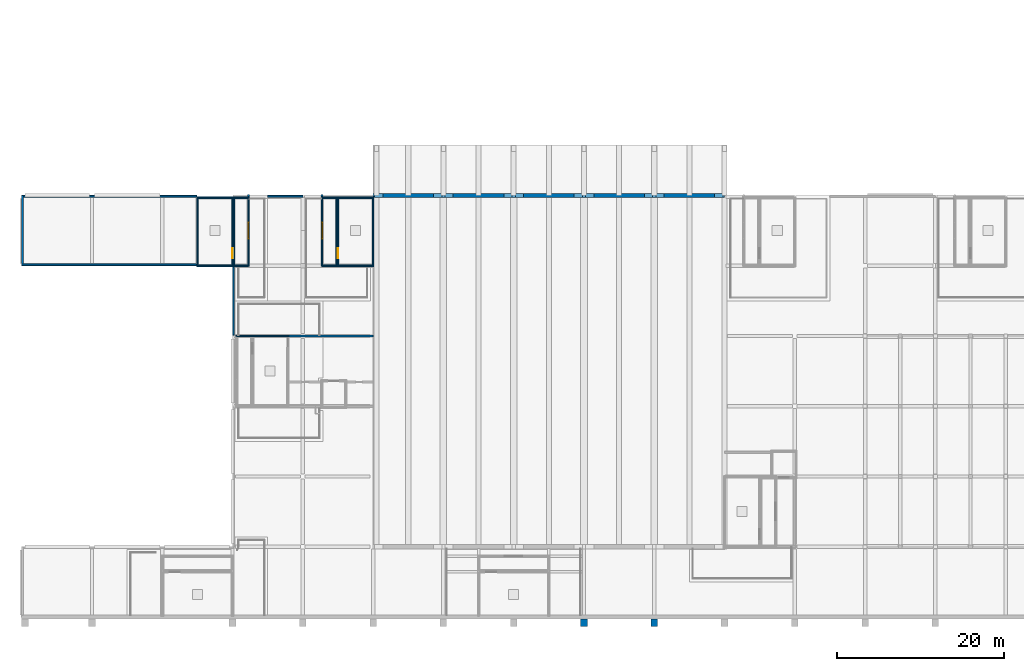
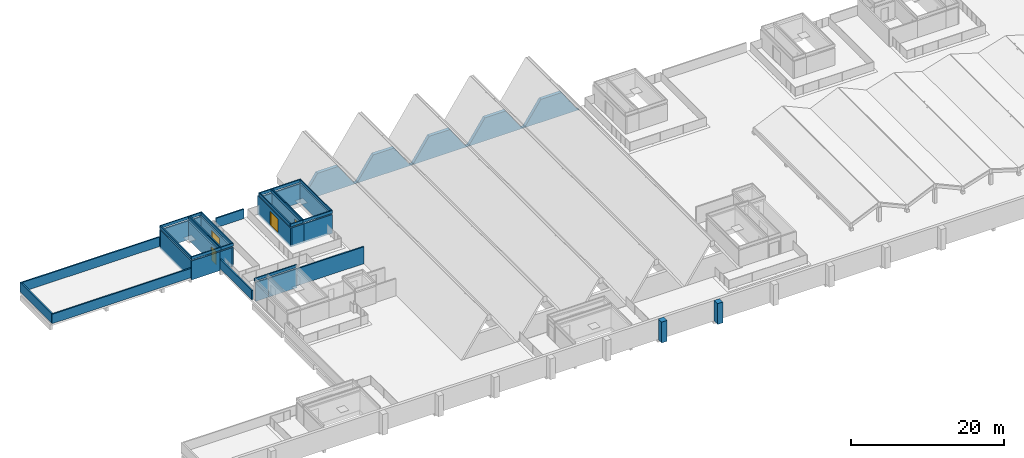
# One storey, part 13 of 24: 43 walls, 4 doors, 4 openings.
"""IFC4 building model written with IfcOpenShell, lengths in metres."""

from ifc_helpers import new_model, si_unit, direction, frame, frame_2d, origin, place, context, subcontext, project, spatial, polyline, rectangle, outline, extrude, material, layer, layer_set, type_object, element, fill, save


model = new_model("IFC4")

# Units and contexts
model_context = context("Model", 3, precision=1e-05, world=origin(), true_north=direction((0.0, 1.0)))
body_context = subcontext(model_context, "Body", "Model", "MODEL_VIEW")
ifc_project = project(units=[si_unit("LENGTHUNIT", "METRE"), si_unit("AREAUNIT", "SQUARE_METRE"), si_unit("VOLUMEUNIT", "CUBIC_METRE"), si_unit("PLANEANGLEUNIT", "RADIAN"), si_unit("MASSUNIT", "GRAM", prefix="KILO")], contexts=[model_context])

# Site, building, storey
site_placement = place(None, origin())
site = spatial("IfcSite", under=ifc_project, at=site_placement, CompositionType="ELEMENT")
building_placement = place(site_placement, origin())
building = spatial("IfcBuilding", under=site, at=building_placement, Name="Rulbaag Community and Learning Centre", CompositionType="ELEMENT")
storey_placement = place(building_placement, frame((0.0, 0.0, 14.39990234375)))
storey = spatial("IfcBuildingStorey", under=building, at=storey_placement, Name="L03", CompositionType="ELEMENT", Elevation=14.39990234375)

# Walls
ifc_material_1 = material(Name="Concrete M40", Category="concrete")
ifc_layer_1 = layer(ifc_material_1, 0.800048828125)
ifc_layer_set_1 = layer_set([ifc_layer_1], Name="EW-BTR")
wall_type_1 = type_object("IfcWallType", Name="EW-BTR", PredefinedType="SOLIDWALL", material=ifc_layer_set_1)
for number, where, z_axis, x_axis, name in (
    (1, (67.199951171875, -0.22509765625, -0.2998046875), (0.0, 0.0, 1.0), (0.0, -1.0, 0.0), "Buttress pier"),
    (2, (75.60009765625, -0.22509765625, -0.2998046875), (0.0, 0.0, 1.0), (0.0, -1.0, 0.0), "Buttress pier"),
):
    element("IfcWall", number, at=place(storey_placement, frame(where, z_axis=z_axis, x_axis=x_axis)), inside=storey, type_object=wall_type_1, Name=name, PredefinedType="SOLIDWALL", context=body_context, shape_type="SweptSolid", body=[
        extrude(rectangle(XDim=0.89990234375, YDim=0.800048828125, at=frame_2d((0.449951171875, 0.0))), origin(), (0.0, 0.0, 1.0), 3.2998046875),
    ])
ifc_layer_2 = layer(ifc_material_1, 0.14990234375)
ifc_layer_set_2 = layer_set([ifc_layer_2], Name="EW-PAR150")
wall_type_2 = type_object("IfcWallType", Name="EW-PAR150", PredefinedType="PARAPET", material=ifc_layer_set_2)
for number, where, z_axis, x_axis, name in (
    (3, (20.89990234375, 41.97509765625, 2.900146484375), (0.0, 0.0, 1.0), (1.0, 0.0, 0.0), "Precast concrete roof upstand with drip nose, head house roofs"),
    (4, (20.89990234375, 50.14990234375, 2.900146484375), (0.0, 0.0, 1.0), (1.0, 0.0, 0.0), "Precast concrete roof upstand with drip nose, head house roofs"),
):
    element("IfcWall", number, at=place(storey_placement, frame(where, z_axis=z_axis, x_axis=x_axis)), inside=storey, type_object=wall_type_2, Name=name, PredefinedType="PARAPET", context=body_context, shape_type="SweptSolid", body=[
        extrude(rectangle(XDim=4.400146484375, YDim=0.14990234375, at=frame_2d((2.2001953125, 0.0))), origin(), (0.0, 0.0, 1.0), 0.449951171875),
    ])
for number, where, z_axis, x_axis, name in (
    (5, (20.97509765625, 42.050048828125, 2.900146484375), (0.0, 0.0, 1.0), (0.0, 1.0, 0.0), "Precast concrete roof upstand with drip nose, head house roofs"),
    (6, (25.22509765625, 42.050048828125, 2.900146484375), (0.0, 0.0, 1.0), (0.0, 1.0, 0.0), "Precast concrete roof upstand with drip nose, head house roofs"),
):
    element("IfcWall", number, at=place(storey_placement, frame(where, z_axis=z_axis, x_axis=x_axis)), inside=storey, type_object=wall_type_2, Name=name, PredefinedType="PARAPET", context=body_context, shape_type="SweptSolid", body=[
        extrude(rectangle(XDim=8.02490234375, YDim=0.14990234375, at=frame_2d((4.012451171875, 0.0))), origin(), (0.0, 0.0, 1.0), 0.449951171875),
    ])
for number, where, z_axis, x_axis, name in (
    (7, (25.300048828125, 41.97509765625, 2.900146484375), (0.0, 0.0, 1.0), (1.0, 0.0, 0.0), "Precast concrete roof upstand with drip nose, head house roofs"),
    (8, (25.300048828125, 50.14990234375, 2.900146484375), (0.0, 0.0, 1.0), (1.0, 0.0, 0.0), "Precast concrete roof upstand with drip nose, head house roofs"),
):
    element("IfcWall", number, at=place(storey_placement, frame(where, z_axis=z_axis, x_axis=x_axis)), inside=storey, type_object=wall_type_2, Name=name, PredefinedType="PARAPET", context=body_context, shape_type="SweptSolid", body=[
        extrude(rectangle(XDim=1.89990234375, YDim=0.14990234375, at=frame_2d((0.949951171875, 0.0))), origin(), (0.0, 0.0, 1.0), 0.449951171875),
    ])
for number, where, z_axis, x_axis, name in (
    (9, (25.375, 42.050048828125, 2.900146484375), (0.0, 0.0, 1.0), (0.0, 1.0, 0.0), "Precast concrete roof upstand with drip nose, head house roofs"),
    (10, (27.125, 42.050048828125, 2.900146484375), (0.0, 0.0, 1.0), (0.0, 1.0, 0.0), "Precast concrete roof upstand with drip nose, head house roofs"),
):
    element("IfcWall", number, at=place(storey_placement, frame(where, z_axis=z_axis, x_axis=x_axis)), inside=storey, type_object=wall_type_2, Name=name, PredefinedType="PARAPET", context=body_context, shape_type="SweptSolid", body=[
        extrude(rectangle(XDim=8.02490234375, YDim=0.14990234375, at=frame_2d((4.012451171875, 0.0))), origin(), (0.0, 0.0, 1.0), 0.449951171875),
    ])
wall_1_placement = place(storey_placement, frame((27.5, 33.625, 2.900146484375), z_axis=(0.0, 0.0, 1.0), x_axis=(1.0, 0.0, 0.0)))
element("IfcWall", 11, at=wall_1_placement, inside=storey, type_object=wall_type_2, Name="Precast concrete roof upstand with drip nose, head house roofs", PredefinedType="PARAPET", context=body_context, shape_type="SweptSolid", body=[
    extrude(rectangle(XDim=4.39990234375, YDim=0.14990234375, at=frame_2d((2.199951171875, 0.0))), origin(), (0.0, 0.0, 1.0), 0.449951171875),
])
wall_2_placement = place(storey_placement, frame((25.60009765625, 33.625, 2.900146484375), z_axis=(0.0, 0.0, 1.0), x_axis=(1.0, 0.0, 0.0)))
element("IfcWall", 12, at=wall_2_placement, inside=storey, type_object=wall_type_2, Name="Precast concrete roof upstand with drip nose, head house roofs", PredefinedType="PARAPET", context=body_context, shape_type="SweptSolid", body=[
    extrude(rectangle(XDim=1.89990234375, YDim=0.14990234375, at=frame_2d((0.949951171875, 0.0))), origin(), (0.0, 0.0, 1.0), 0.449951171875),
])
for number, where, z_axis, x_axis, name in (
    (13, (37.699951171875, 41.97509765625, 2.900146484375), (0.0, 0.0, 1.0), (1.0, 0.0, 0.0), "Precast concrete roof upstand with drip nose, head house roofs"),
    (14, (37.699951171875, 50.14990234375, 2.900146484375), (0.0, 0.0, 1.0), (1.0, 0.0, 0.0), "Precast concrete roof upstand with drip nose, head house roofs"),
):
    element("IfcWall", number, at=place(storey_placement, frame(where, z_axis=z_axis, x_axis=x_axis)), inside=storey, type_object=wall_type_2, Name=name, PredefinedType="PARAPET", context=body_context, shape_type="SweptSolid", body=[
        extrude(rectangle(XDim=4.400146484375, YDim=0.14990234375, at=frame_2d((2.2001953125, 0.0))), origin(), (0.0, 0.0, 1.0), 0.449951171875),
    ])
for number, where, z_axis, x_axis, name in (
    (15, (37.77490234375, 42.050048828125, 2.900146484375), (0.0, 0.0, 1.0), (0.0, 1.0, 0.0), "Precast concrete roof upstand with drip nose, head house roofs"),
    (16, (42.02490234375, 42.050048828125, 2.900146484375), (0.0, 0.0, 1.0), (0.0, 1.0, 0.0), "Precast concrete roof upstand with drip nose, head house roofs"),
):
    element("IfcWall", number, at=place(storey_placement, frame(where, z_axis=z_axis, x_axis=x_axis)), inside=storey, type_object=wall_type_2, Name=name, PredefinedType="PARAPET", context=body_context, shape_type="SweptSolid", body=[
        extrude(rectangle(XDim=8.02490234375, YDim=0.14990234375, at=frame_2d((4.012451171875, 0.0))), origin(), (0.0, 0.0, 1.0), 0.449951171875),
    ])
for number, where, z_axis, x_axis, name in (
    (17, (35.800048828125, 41.97509765625, 2.900146484375), (0.0, 0.0, 1.0), (1.0, 0.0, 0.0), "Precast concrete roof upstand with drip nose, head house roofs"),
    (18, (35.800048828125, 50.14990234375, 2.900146484375), (0.0, 0.0, 1.0), (1.0, 0.0, 0.0), "Precast concrete roof upstand with drip nose, head house roofs"),
):
    element("IfcWall", number, at=place(storey_placement, frame(where, z_axis=z_axis, x_axis=x_axis)), inside=storey, type_object=wall_type_2, Name=name, PredefinedType="PARAPET", context=body_context, shape_type="SweptSolid", body=[
        extrude(rectangle(XDim=1.89990234375, YDim=0.14990234375, at=frame_2d((0.949951171875, 0.0))), origin(), (0.0, 0.0, 1.0), 0.449951171875),
    ])
for number, where, z_axis, x_axis, name in (
    (19, (35.875, 42.050048828125, 2.900146484375), (0.0, 0.0, 1.0), (0.0, 1.0, 0.0), "Precast concrete roof upstand with drip nose, head house roofs"),
    (20, (37.625, 42.050048828125, 2.900146484375), (0.0, 0.0, 1.0), (0.0, 1.0, 0.0), "Precast concrete roof upstand with drip nose, head house roofs"),
):
    element("IfcWall", number, at=place(storey_placement, frame(where, z_axis=z_axis, x_axis=x_axis)), inside=storey, type_object=wall_type_2, Name=name, PredefinedType="PARAPET", context=body_context, shape_type="SweptSolid", body=[
        extrude(rectangle(XDim=8.02490234375, YDim=0.14990234375, at=frame_2d((4.012451171875, 0.0))), origin(), (0.0, 0.0, 1.0), 0.449951171875),
    ])
ifc_layer_3 = layer(ifc_material_1, 0.199951171875)
ifc_layer_set_3 = layer_set([ifc_layer_3], Name="EW-PAR200")
wall_type_3 = type_object("IfcWallType", Name="EW-PAR200", PredefinedType="PARAPET", material=ifc_layer_set_3)
wall_3_placement = place(storey_placement, frame((20.89990234375, 42.10009765625, 0.0), z_axis=(0.0, 0.0, 1.0), x_axis=(-1.0, 0.0, 0.0)))
element("IfcWall", 21, at=wall_3_placement, inside=storey, type_object=wall_type_3, Name="Roof parapet", PredefinedType="PARAPET", context=body_context, shape_type="SweptSolid", body=[
    extrude(rectangle(XDim=20.89990234375, YDim=0.199951171875, at=frame_2d((10.449951171875, 0.0))), origin(), (0.0, 0.0, 1.0), 1.5),
])
wall_4_placement = place(storey_placement, frame((0.10009765625, 42.199951171875, 0.0), z_axis=(0.0, 0.0, 1.0), x_axis=(0.0, 1.0, 0.0)))
element("IfcWall", 22, at=wall_4_placement, inside=storey, type_object=wall_type_3, Name="Roof parapet", PredefinedType="PARAPET", context=body_context, shape_type="SweptSolid", body=[
    extrude(rectangle(XDim=8.199951171875, YDim=0.199951171875, at=frame_2d((4.10009765625, 0.0))), origin(), (0.0, 0.0, 1.0), 1.5),
])
wall_5_placement = place(storey_placement, frame((0.199951171875, 50.300048828125, 0.0), z_axis=(0.0, 0.0, 1.0), x_axis=(1.0, 0.0, 0.0)))
element("IfcWall", 23, at=wall_5_placement, inside=storey, type_object=wall_type_3, Name="Roof parapet", PredefinedType="PARAPET", context=body_context, shape_type="SweptSolid", body=[
    extrude(rectangle(XDim=20.699951171875, YDim=0.199951171875, at=frame_2d((10.35009765625, 0.0))), origin(), (0.0, 0.0, 1.0), 1.5),
])
wall_6_placement = place(storey_placement, frame((25.300048828125, 33.699951171875, 0.0), z_axis=(0.0, 0.0, 1.0), x_axis=(0.0, 1.0, 0.0)))
element("IfcWall", 24, at=wall_6_placement, inside=storey, type_object=wall_type_3, Name="Roof parapet", PredefinedType="PARAPET", context=body_context, shape_type="SweptSolid", body=[
    extrude(rectangle(XDim=8.199951171875, YDim=0.199951171875, at=frame_2d((4.10009765625, 0.0))), origin(), (0.0, 0.0, 1.0), 1.5),
])
wall_7_placement = place(storey_placement, frame((29.39990234375, 50.300048828125, 0.0), z_axis=(0.0, 0.0, 1.0), x_axis=(1.0, 0.0, 0.0)))
element("IfcWall", 25, at=wall_7_placement, inside=storey, type_object=wall_type_3, Name="Roof parapet", PredefinedType="PARAPET", context=body_context, shape_type="SweptSolid", body=[
    extrude(rectangle(XDim=4.2001953125, YDim=0.199951171875, at=frame_2d((2.10009765625, 0.0))), origin(), (0.0, 0.0, 1.0), 1.5),
])
ifc_material_2 = material(Name="Concrete blockwork", Category="masonry")
ifc_layer_4 = layer(ifc_material_2, 0.199951171875)
ifc_layer_set_4 = layer_set([ifc_layer_4], Name="FW-200 FIRE WALL 200")
wall_type_4 = type_object("IfcWallType", Name="FW-200 FIRE WALL 200", PredefinedType="SOLIDWALL", material=ifc_layer_set_4)
wall_8_placement = place(storey_placement, frame((31.89990234375, 33.60009765625, 0.0), z_axis=(0.0, 0.0, 1.0), x_axis=(1.0, 0.0, 0.0)))
element("IfcWall", 26, at=wall_8_placement, inside=storey, type_object=wall_type_4, Name="Fire wall L03 7", PredefinedType="SOLIDWALL", context=body_context, shape_type="SweptSolid", body=[
    extrude(rectangle(XDim=10.10009765625, YDim=0.199951171875, at=frame_2d((5.050048828125, 0.0))), origin(), (0.0, 0.0, 1.0), 2.7001953125),
])
ifc_layer_5 = layer(ifc_material_1, 0.5)
ifc_layer_set_5 = layer_set([ifc_layer_5], Name="W13 Shear wall 500 Concrete M40")
wall_type_5 = type_object("IfcWallType", Name="W13 Shear wall 500 Concrete M40", PredefinedType="SHEAR", material=ifc_layer_set_5)
wall_9_placement = place(storey_placement, frame((42.0, 50.39990234375, -0.2998046875), z_axis=(0.0, 0.0, 1.0), x_axis=(1.0, 0.0, 0.0)))
element("IfcWall", 27, at=wall_9_placement, inside=storey, type_object=wall_type_5, Name="WL-XMN-L03", PredefinedType="SHEAR", context=body_context, shape_type="SweptSolid", body=[
    extrude(outline(polyline([(0.0, 0.0), (42.0, 0.0), (42.0, 0.0498046875), (41.806884765625, 0.0498046875), (39.368408203125, 3.64990234375), (36.231689453125, 3.64990234375), (33.79296875, 0.0498046875), (33.60009765625, 0.0498046875), (33.406982421875, 0.0498046875), (30.96826171875, 3.64990234375), (27.831787109375, 3.64990234375), (25.39306640625, 0.0498046875), (25.199951171875, 0.0498046875), (25.007080078125, 0.0498046875), (22.568359375, 3.64990234375), (19.431640625, 3.64990234375), (16.992919921875, 0.0498046875), (16.800048828125, 0.0498046875), (16.60693359375, 0.0498046875), (14.168212890625, 3.64990234375), (11.03173828125, 3.64990234375), (8.593017578125, 0.0498046875), (8.39990234375, 0.0498046875), (8.20703125, 0.0498046875), (5.768310546875, 3.64990234375), (2.631591796875, 3.64990234375), (0.193115234375, 0.0498046875), (0.0, 0.0498046875), (0.0, 0.0)])), frame((0.0, 0.25, 0.0), z_axis=(0.0, -1.0, 0.0), x_axis=(1.0, 0.0, 0.0)), (0.0, 0.0, 1.0), 0.5),
])
ifc_layer_6 = layer(ifc_material_1, 0.199951171875)
ifc_layer_set_6 = layer_set([ifc_layer_6], Name="W14 Stair head wall 200 Concrete M40")
wall_type_6 = type_object("IfcWallType", Name="W14 Stair head wall 200 Concrete M40", PredefinedType="SHEAR", material=ifc_layer_set_6)
for number, where, z_axis, x_axis, name in (
    (28, (20.89990234375, 42.0, -0.2998046875), (0.0, 0.0, 1.0), (1.0, 0.0, 0.0), "WL-HEAD-SH0-S"),
    (29, (20.89990234375, 50.125, -0.2998046875), (0.0, 0.0, 1.0), (1.0, 0.0, 0.0), "WL-HEAD-SH0-N"),
):
    element("IfcWall", number, at=place(storey_placement, frame(where, z_axis=z_axis, x_axis=x_axis)), inside=storey, type_object=wall_type_6, Name=name, PredefinedType="SHEAR", context=body_context, shape_type="SweptSolid", body=[
        extrude(rectangle(XDim=4.400146484375, YDim=0.199951171875, at=frame_2d((2.2001953125, 0.0))), origin(), (0.0, 0.0, 1.0), 3.0),
    ])
wall_10_placement = place(storey_placement, frame((21.0, 42.10009765625, -0.2998046875), z_axis=(0.0, 0.0, 1.0), x_axis=(0.0, 1.0, 0.0)))
element("IfcWall", 30, at=wall_10_placement, inside=storey, type_object=wall_type_6, Name="WL-HEAD-SH0-W", PredefinedType="SHEAR", context=body_context, shape_type="SweptSolid", body=[
    extrude(rectangle(XDim=7.9248046875, YDim=0.199951171875, at=frame_2d((3.96240234375, 0.0))), origin(), (0.0, 0.0, 1.0), 3.0),
])

# Wall, opening, door
wall_11_placement = place(storey_placement, frame((25.199951171875, 42.10009765625, -0.2998046875), z_axis=(0.0, 0.0, 1.0), x_axis=(0.0, 1.0, 0.0)))
wall_11 = element("IfcWall", 31, at=wall_11_placement, inside=storey, type_object=wall_type_6, Name="WL-HEAD-SH0-E", PredefinedType="SHEAR", context=body_context, shape_type="SweptSolid", body=[
    extrude(rectangle(XDim=7.9248046875, YDim=0.199951171875, at=frame_2d((3.96240234375, 0.0))), origin(), (0.0, 0.0, 1.0), 3.0),
])
opening_1_placement = place(wall_11_placement, frame((0.800048828125, 0.0, 0.300048828125)))
opening_1 = element("IfcOpeningElement", 32, at=opening_1_placement, cuts=wall_11, Name="Opening L03-D003", PredefinedType="OPENING", context=body_context, shape_type="SweptSolid", body=[
    extrude(rectangle(XDim=1.199951171875, YDim=2.199951171875, at=frame_2d((0.60009765625, 1.10009765625))), frame((0.0, 0.10986328125, 0.0), z_axis=(0.0, -1.0, 0.0), x_axis=(1.0, 0.0, 0.0)), (0.0, 0.0, 1.0), 0.219970703125),
])
ifc_material_3 = material(Name="Galvanised steel", Category="steel")
door_type_1 = type_object("IfcDoorType", Name="DT-12", OperationType="SINGLE_SWING_LEFT", PredefinedType="DOOR", material=ifc_material_3)
door_1_placement = place(opening_1_placement, origin())
door_1 = element("IfcDoor", 33, at=door_1_placement, inside=storey, type_object=door_type_1, Name="Lobby door L1", OperationType="SINGLE_SWING_LEFT", OverallHeight=2.199951171875, OverallWidth=1.199951171875, PredefinedType="DOOR", context=body_context, shape_type="SweptSolid", body=[
    extrude(rectangle(XDim=1.199951171875, YDim=2.199951171875, at=frame_2d((0.60009765625, 1.10009765625))), frame((0.0, 0.02490234375, 0.0), z_axis=(0.0, -1.0, 0.0), x_axis=(1.0, 0.0, 0.0)), (0.0, 0.0, 1.0), 0.050048828125),
])
fill(opening_1, door_1)

# Walls
for number, where, z_axis, x_axis, name in (
    (34, (25.199951171875, 42.0, -0.2998046875), (0.0, 0.0, 1.0), (1.0, 0.0, 0.0), "WL-LOBBY-SH0-S"),
    (35, (25.199951171875, 50.125, -0.2998046875), (0.0, 0.0, 1.0), (1.0, 0.0, 0.0), "WL-LOBBY-SH0-N"),
):
    element("IfcWall", number, at=place(storey_placement, frame(where, z_axis=z_axis, x_axis=x_axis)), inside=storey, type_object=wall_type_6, Name=name, PredefinedType="SHEAR", context=body_context, shape_type="SweptSolid", body=[
        extrude(rectangle(XDim=1.900146484375, YDim=0.199951171875, at=frame_2d((0.9501953125, 0.0))), origin(), (0.0, 0.0, 1.0), 3.0),
    ])

# Wall, opening, door
wall_12_placement = place(storey_placement, frame((27.10009765625, 41.89990234375, -0.2998046875), z_axis=(0.0, 0.0, 1.0), x_axis=(0.0, 1.0, 0.0)))
wall_12 = element("IfcWall", 36, at=wall_12_placement, inside=storey, type_object=wall_type_6, Name="WL-LOBBY-SH0-O", PredefinedType="SHEAR", context=body_context, shape_type="SweptSolid", body=[
    extrude(rectangle(XDim=8.60009765625, YDim=0.199951171875, at=frame_2d((4.300048828125, 0.0))), origin(), (0.0, 0.0, 1.0), 3.0),
])
opening_2_placement = place(wall_12_placement, frame((5.35009765625, 0.0, 0.300048828125), z_axis=(0.0, 0.0, 1.0), x_axis=(-1.0, 0.0, 0.0)))
opening_2 = element("IfcOpeningElement", 37, at=opening_2_placement, cuts=wall_12, Name="Opening L03-D005", PredefinedType="OPENING", context=body_context, shape_type="SweptSolid", body=[
    extrude(rectangle(XDim=2.10009765625, YDim=2.199951171875, at=frame_2d((1.050048828125, 1.10009765625))), frame((0.0, 0.10986328125, 0.0), z_axis=(0.0, -1.0, 0.0), x_axis=(1.0, 0.0, 0.0)), (0.0, 0.0, 1.0), 0.219970703125),
])
door_type_2 = type_object("IfcDoorType", Name="DX-21", OperationType="DOUBLE_DOOR_SINGLE_SWING", PredefinedType="DOOR", material=ifc_material_3)
door_2_placement = place(opening_2_placement, origin())
door_2 = element("IfcDoor", 38, at=door_2_placement, inside=storey, type_object=door_type_2, Name="Terrace door T1", OperationType="DOUBLE_DOOR_SINGLE_SWING", OverallHeight=2.199951171875, OverallWidth=2.10009765625, PredefinedType="DOOR", context=body_context, shape_type="SweptSolid", body=[
    extrude(rectangle(XDim=2.10009765625, YDim=0.012939453125, at=frame_2d((1.050048828125, 0.006591796875))), frame((0.0, 0.087890625, 0.0), z_axis=(0.0, -1.0, 0.0), x_axis=(1.0, 0.0, 0.0)), (0.0, 0.0, 1.0), 0.176025390625),
    extrude(rectangle(XDim=0.074951171875, YDim=2.112060546875, at=frame_2d((0.03759765625, 1.069091796875))), frame((0.0, 0.09814453125, 0.0), z_axis=(0.0, -1.0, 0.0), x_axis=(1.0, 0.0, 0.0)), (0.0, 0.0, 1.0), 0.196044921875),
    extrude(rectangle(XDim=0.074951171875, YDim=2.112060546875, at=frame_2d((2.0625, 1.069091796875))), frame((0.0, 0.09814453125, 0.0), z_axis=(0.0, -1.0, 0.0), x_axis=(1.0, 0.0, 0.0)), (0.0, 0.0, 1.0), 0.196044921875),
    extrude(rectangle(XDim=2.10009765625, YDim=0.074951171875, at=frame_2d((1.050048828125, 2.16259765625))), frame((0.0, 0.087890625, 0.0), z_axis=(0.0, -1.0, 0.0), x_axis=(1.0, 0.0, 0.0)), (0.0, 0.0, 1.0), 0.176025390625),
    extrude(rectangle(XDim=1.9501953125, YDim=2.112060546875, at=frame_2d((1.050048828125, 1.069091796875))), frame((0.0, 0.02490234375, 0.0), z_axis=(0.0, -1.0, 0.0), x_axis=(1.0, 0.0, 0.0)), (0.0, 0.0, 1.0), 0.050048828125),
])
fill(opening_2, door_2)

# Walls
wall_13_placement = place(storey_placement, frame((27.5, 33.60009765625, -0.2998046875), z_axis=(0.0, 0.0, 1.0), x_axis=(1.0, 0.0, 0.0)))
element("IfcWall", 39, at=wall_13_placement, inside=storey, type_object=wall_type_6, Name="WL-HEAD-SH1-N", PredefinedType="SHEAR", context=body_context, shape_type="SweptSolid", body=[
    extrude(rectangle(XDim=4.39990234375, YDim=0.199951171875, at=frame_2d((2.199951171875, 0.0))), origin(), (0.0, 0.0, 1.0), 3.0),
])
wall_14_placement = place(storey_placement, frame((27.60009765625, 33.60009765625, -0.2998046875), z_axis=(0.0, 0.0, 1.0), x_axis=(-1.0, 0.0, 0.0)))
element("IfcWall", 40, at=wall_14_placement, inside=storey, type_object=wall_type_6, Name="WL-LOBBY-SH1-N", PredefinedType="SHEAR", context=body_context, shape_type="SweptSolid", body=[
    extrude(rectangle(XDim=1.900146484375, YDim=0.199951171875, at=frame_2d((0.9501953125, 0.0))), origin(), (0.0, 0.0, 1.0), 3.0),
])
for number, where, z_axis, x_axis, name in (
    (41, (37.699951171875, 42.0, -0.2998046875), (0.0, 0.0, 1.0), (1.0, 0.0, 0.0), "WL-HEAD-SH5-S"),
    (42, (37.699951171875, 50.125, -0.2998046875), (0.0, 0.0, 1.0), (1.0, 0.0, 0.0), "WL-HEAD-SH5-N"),
):
    element("IfcWall", number, at=place(storey_placement, frame(where, z_axis=z_axis, x_axis=x_axis)), inside=storey, type_object=wall_type_6, Name=name, PredefinedType="SHEAR", context=body_context, shape_type="SweptSolid", body=[
        extrude(rectangle(XDim=4.400146484375, YDim=0.199951171875, at=frame_2d((2.2001953125, 0.0))), origin(), (0.0, 0.0, 1.0), 3.0),
    ])

# Wall, opening, door
wall_15_placement = place(storey_placement, frame((37.800048828125, 42.10009765625, -0.2998046875), z_axis=(0.0, 0.0, 1.0), x_axis=(0.0, 1.0, 0.0)))
wall_15 = element("IfcWall", 43, at=wall_15_placement, inside=storey, type_object=wall_type_6, Name="WL-HEAD-SH5-W", PredefinedType="SHEAR", context=body_context, shape_type="SweptSolid", body=[
    extrude(rectangle(XDim=7.9248046875, YDim=0.199951171875, at=frame_2d((3.96240234375, 0.0))), origin(), (0.0, 0.0, 1.0), 3.0),
])
opening_3_placement = place(wall_15_placement, frame((0.800048828125, 0.0, 0.300048828125)))
opening_3 = element("IfcOpeningElement", 44, at=opening_3_placement, cuts=wall_15, Name="Opening L03-D011", PredefinedType="OPENING", context=body_context, shape_type="SweptSolid", body=[
    extrude(rectangle(XDim=1.199951171875, YDim=2.199951171875, at=frame_2d((0.60009765625, 1.10009765625))), frame((0.0, 0.10986328125, 0.0), z_axis=(0.0, -1.0, 0.0), x_axis=(1.0, 0.0, 0.0)), (0.0, 0.0, 1.0), 0.219970703125),
])
door_3_placement = place(opening_3_placement, origin())
door_3 = element("IfcDoor", 45, at=door_3_placement, inside=storey, type_object=door_type_1, Name="Lobby door L6", OperationType="SINGLE_SWING_RIGHT", OverallHeight=2.199951171875, OverallWidth=1.199951171875, PredefinedType="DOOR", context=body_context, shape_type="SweptSolid", body=[
    extrude(rectangle(XDim=1.199951171875, YDim=2.199951171875, at=frame_2d((0.60009765625, 1.10009765625))), frame((0.0, 0.02490234375, 0.0), z_axis=(0.0, -1.0, 0.0), x_axis=(1.0, 0.0, 0.0)), (0.0, 0.0, 1.0), 0.050048828125),
])
fill(opening_3, door_3)

# Walls
wall_16_placement = place(storey_placement, frame((42.0, 42.10009765625, -0.2998046875), z_axis=(0.0, 0.0, 1.0), x_axis=(0.0, 1.0, 0.0)))
element("IfcWall", 46, at=wall_16_placement, inside=storey, type_object=wall_type_6, Name="WL-HEAD-SH5-E", PredefinedType="SHEAR", context=body_context, shape_type="SweptSolid", body=[
    extrude(rectangle(XDim=7.9248046875, YDim=0.199951171875, at=frame_2d((3.96240234375, 0.0))), origin(), (0.0, 0.0, 1.0), 3.0),
])
for number, where, z_axis, x_axis, name in (
    (47, (37.800048828125, 42.0, -0.2998046875), (0.0, 0.0, 1.0), (-1.0, 0.0, 0.0), "WL-LOBBY-SH5-S"),
    (48, (37.800048828125, 50.125, -0.2998046875), (0.0, 0.0, 1.0), (-1.0, 0.0, 0.0), "WL-LOBBY-SH5-N"),
):
    element("IfcWall", number, at=place(storey_placement, frame(where, z_axis=z_axis, x_axis=x_axis)), inside=storey, type_object=wall_type_6, Name=name, PredefinedType="SHEAR", context=body_context, shape_type="SweptSolid", body=[
        extrude(rectangle(XDim=1.900146484375, YDim=0.199951171875, at=frame_2d((0.9501953125, 0.0))), origin(), (0.0, 0.0, 1.0), 3.0),
    ])

# Wall, opening, door
wall_17_placement = place(storey_placement, frame((35.89990234375, 41.89990234375, -0.2998046875), z_axis=(0.0, 0.0, 1.0), x_axis=(0.0, 1.0, 0.0)))
wall_17 = element("IfcWall", 49, at=wall_17_placement, inside=storey, type_object=wall_type_6, Name="WL-LOBBY-SH5-O", PredefinedType="SHEAR", context=body_context, shape_type="SweptSolid", body=[
    extrude(rectangle(XDim=8.60009765625, YDim=0.199951171875, at=frame_2d((4.300048828125, 0.0))), origin(), (0.0, 0.0, 1.0), 3.0),
])
opening_4_placement = place(wall_17_placement, frame((3.25, 0.0, 0.300048828125)))
opening_4 = element("IfcOpeningElement", 50, at=opening_4_placement, cuts=wall_17, Name="Opening L03-D009", PredefinedType="OPENING", context=body_context, shape_type="SweptSolid", body=[
    extrude(rectangle(XDim=2.10009765625, YDim=2.199951171875, at=frame_2d((1.050048828125, 1.10009765625))), frame((0.0, 0.10986328125, 0.0), z_axis=(0.0, -1.0, 0.0), x_axis=(1.0, 0.0, 0.0)), (0.0, 0.0, 1.0), 0.219970703125),
])
door_4_placement = place(opening_4_placement, origin())
door_4 = element("IfcDoor", 51, at=door_4_placement, inside=storey, type_object=door_type_2, Name="Terrace door T6", OperationType="DOUBLE_DOOR_SINGLE_SWING", OverallHeight=2.199951171875, OverallWidth=2.10009765625, PredefinedType="DOOR", context=body_context, shape_type="SweptSolid", body=[
    extrude(rectangle(XDim=2.10009765625, YDim=0.012939453125, at=frame_2d((1.050048828125, 0.006591796875))), frame((0.0, 0.087890625, 0.0), z_axis=(0.0, -1.0, 0.0), x_axis=(1.0, 0.0, 0.0)), (0.0, 0.0, 1.0), 0.176025390625),
    extrude(rectangle(XDim=0.074951171875, YDim=2.112060546875, at=frame_2d((0.03759765625, 1.069091796875))), frame((0.0, 0.09814453125, 0.0), z_axis=(0.0, -1.0, 0.0), x_axis=(1.0, 0.0, 0.0)), (0.0, 0.0, 1.0), 0.196044921875),
    extrude(rectangle(XDim=0.074951171875, YDim=2.112060546875, at=frame_2d((2.0625, 1.069091796875))), frame((0.0, 0.09814453125, 0.0), z_axis=(0.0, -1.0, 0.0), x_axis=(1.0, 0.0, 0.0)), (0.0, 0.0, 1.0), 0.196044921875),
    extrude(rectangle(XDim=2.10009765625, YDim=0.074951171875, at=frame_2d((1.050048828125, 2.16259765625))), frame((0.0, 0.087890625, 0.0), z_axis=(0.0, -1.0, 0.0), x_axis=(1.0, 0.0, 0.0)), (0.0, 0.0, 1.0), 0.176025390625),
    extrude(rectangle(XDim=1.9501953125, YDim=2.112060546875, at=frame_2d((1.050048828125, 1.069091796875))), frame((0.0, 0.02490234375, 0.0), z_axis=(0.0, -1.0, 0.0), x_axis=(1.0, 0.0, 0.0)), (0.0, 0.0, 1.0), 0.050048828125),
])
fill(opening_4, door_4)

save(model, "model.ifc")
